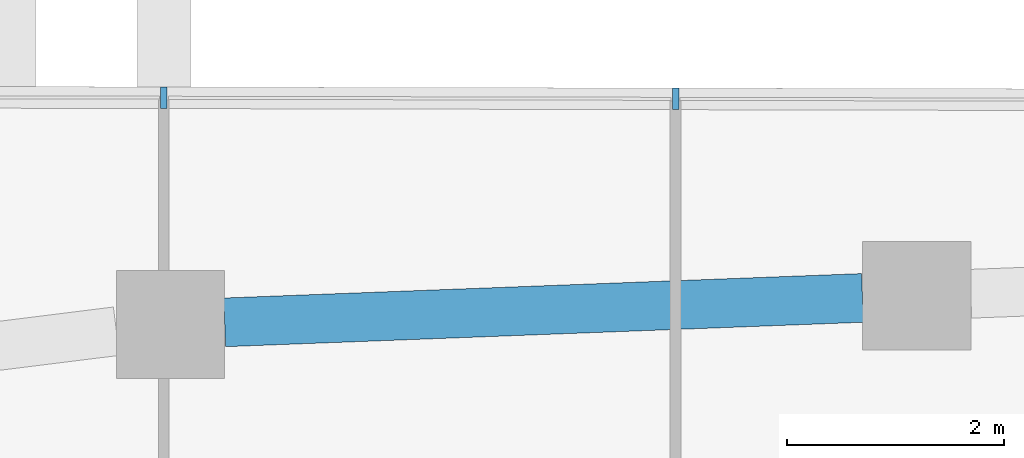
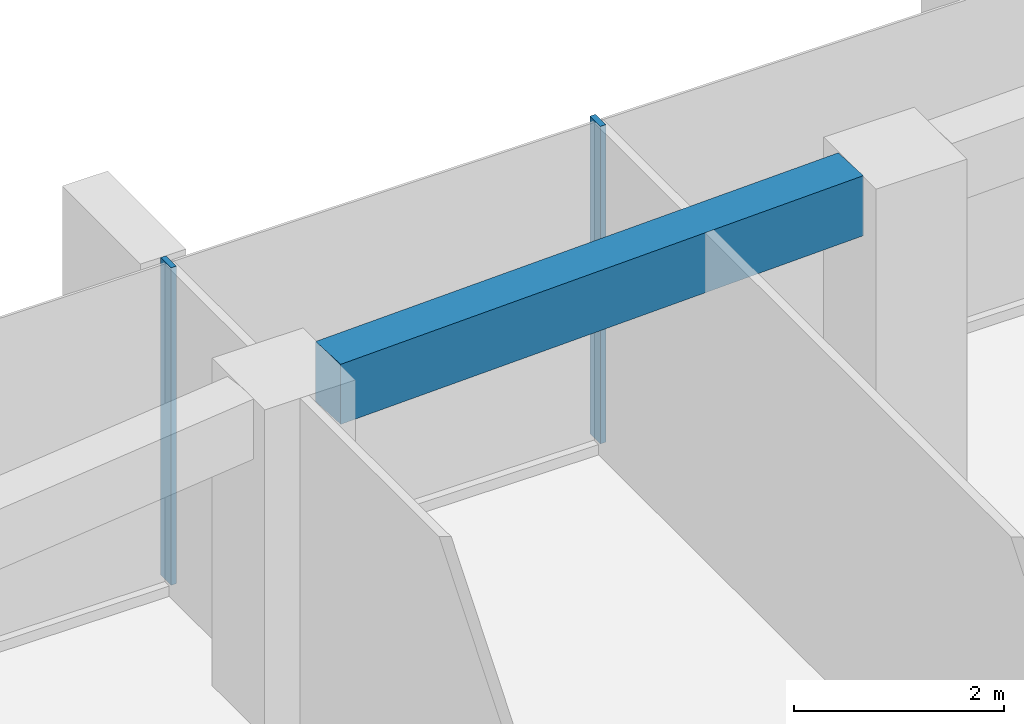
# One storey, part 7 of 23: 2 members, 1 beam, 1 element without a shape of its own.
"""IFC4 building model written with IfcOpenShell, lengths in metres."""

from ifc_helpers import new_model, si_unit, direction, frame, origin, origin_2d, place, context, subcontext, project, spatial, rectangle, extrude, material, layer, layer_set, material_profile, profile_set, type_object, element, aggregate, save


model = new_model("IFC4")

# Units and contexts
model_context = context("Model", 3, precision=1e-05, world=origin(), true_north=direction((0.0, 1.0)))
body_context = subcontext(model_context, "Body", "Model", "MODEL_VIEW")
ifc_project = project(units=[si_unit("LENGTHUNIT", "METRE"), si_unit("AREAUNIT", "SQUARE_METRE"), si_unit("VOLUMEUNIT", "CUBIC_METRE"), si_unit("PLANEANGLEUNIT", "RADIAN"), si_unit("MASSUNIT", "GRAM", prefix="KILO")], contexts=[model_context])

# Site, building, storey
site_placement = place(None, origin())
site = spatial("IfcSite", under=ifc_project, at=site_placement, CompositionType="ELEMENT")
building_placement = place(site_placement, origin())
building = spatial("IfcBuilding", under=site, at=building_placement, Name="Dongbaek Canopy Tower", CompositionType="ELEMENT")
storey_placement = place(building_placement, frame((0.0, 0.0, 315.199951171875)))
storey = spatial("IfcBuildingStorey", under=building, at=storey_placement, Name="L67", CompositionType="ELEMENT", Elevation=315.199951171875)

# Curtain wall, members
ifc_material_1 = material(Name="Aluminium 6063-T6 pale anodised", Category="aluminium")
ifc_layer = layer(ifc_material_1, 0.199951171875)
ifc_layer_set = layer_set([ifc_layer], Name="CW-1 unitised tower curtain wall")
curtain_wall_type = type_object("IfcCurtainWallType", Name="CW-1 unitised tower curtain wall", PredefinedType="NOTDEFINED", material=ifc_layer_set)
curtain_wall_placement = place(storey_placement, origin())
curtain_wall = element("IfcCurtainWall", 1, at=curtain_wall_placement, inside=storey, type_object=curtain_wall_type, Name="CW-1 curtain wall F1.1", PredefinedType="NOTDEFINED")
ifc_material_2 = material(Name="Aluminium 6063-T6 pale anodised", Category="aluminium")
ifc_material_profile_1 = material_profile(ifc_material_2, rectangle(XDim=0.199951171875, YDim=0.06005859375, at=origin_2d()), Name="CW-1 mullion 60 x 200")
ifc_profile_set_1 = profile_set([ifc_material_profile_1], Name="Aluminium 6063-T6 pale anodised")
member_type = type_object("IfcMemberType", Name="CW-1 mullion 60 x 200", PredefinedType="MULLION", material=ifc_profile_set_1)
member_1_placement = place(storey_placement, frame((-3.64453125, 29.24755859375, 0.1201171875), z_axis=(0.0, 0.0, 1.0), x_axis=(0.002180161438, 0.999997623445, 0.0)))
member_1 = element("IfcMember", 2, at=member_1_placement, type_object=member_type, Name="CW-1 mullion F1.1.4", PredefinedType="MULLION", context=body_context, shape_type="SweptSolid", body=[
    extrude(rectangle(XDim=0.199951171875, YDim=0.06005859375, at=origin_2d()), origin(), (0.0, 0.0, 1.0), 3.699951171875),
])
member_2_placement = place(storey_placement, frame((-8.370849609375, 29.2578125, 0.1201171875), z_axis=(0.0, 0.0, 1.0), x_axis=(0.002180161438, 0.999997623445, 0.0)))
member_2 = element("IfcMember", 3, at=member_2_placement, type_object=member_type, Name="CW-1 mullion F1.1.5", PredefinedType="MULLION", context=body_context, shape_type="SweptSolid", body=[
    extrude(rectangle(XDim=0.199951171875, YDim=0.06005859375, at=origin_2d()), origin(), (0.0, 0.0, 1.0), 3.699951171875),
])
aggregate(curtain_wall, [member_1, member_2])

# Beam
ifc_material_3 = material(Name="Concrete C60", Category="concrete")
ifc_material_profile_2 = material_profile(ifc_material_3, rectangle(XDim=0.449951171875, YDim=0.699951171875, at=origin_2d()), Name="RC EDGE BEAM 450x700 C60")
ifc_profile_set_2 = profile_set([ifc_material_profile_2], Name="Concrete C60")
beam_type = type_object("IfcBeamType", Name="RC EDGE BEAM 450x700 C60", PredefinedType="BEAM", material=ifc_profile_set_2)
beam_placement = place(storey_placement, frame((-7.80908203125, 27.18310546875, 3.469970703125), z_axis=(0.999267644391, 0.038264538061, 0.0), x_axis=(-0.038264538061, 0.999267644391, 0.0)))
element("IfcBeam", 4, at=beam_placement, inside=storey, type_object=beam_type, Name="EDGEBEAM:L67:14", PredefinedType="BEAM", context=body_context, shape_type="SweptSolid", body=[
    extrude(rectangle(XDim=0.449951171875, YDim=0.699951171875, at=origin_2d()), origin(), (0.0, 0.0, 1.0), 5.8955078125),
])

save(model, "model.ifc")
